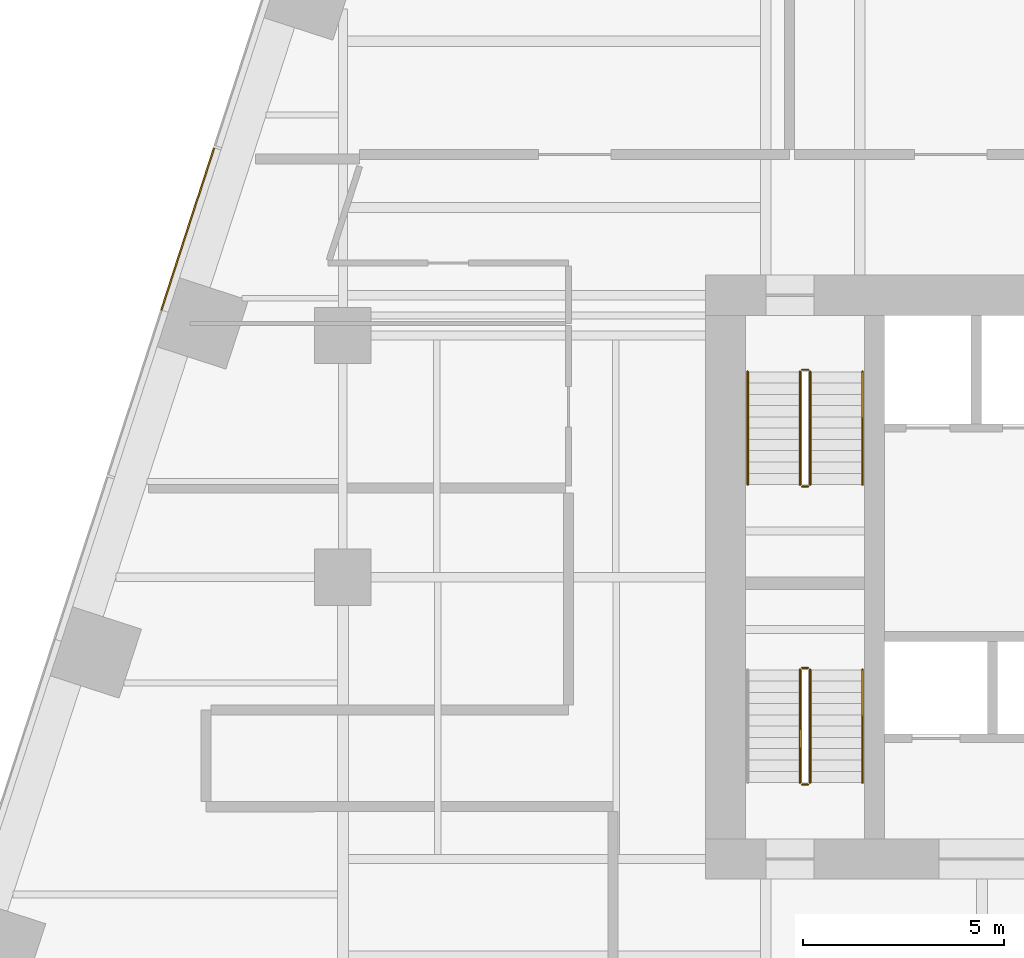
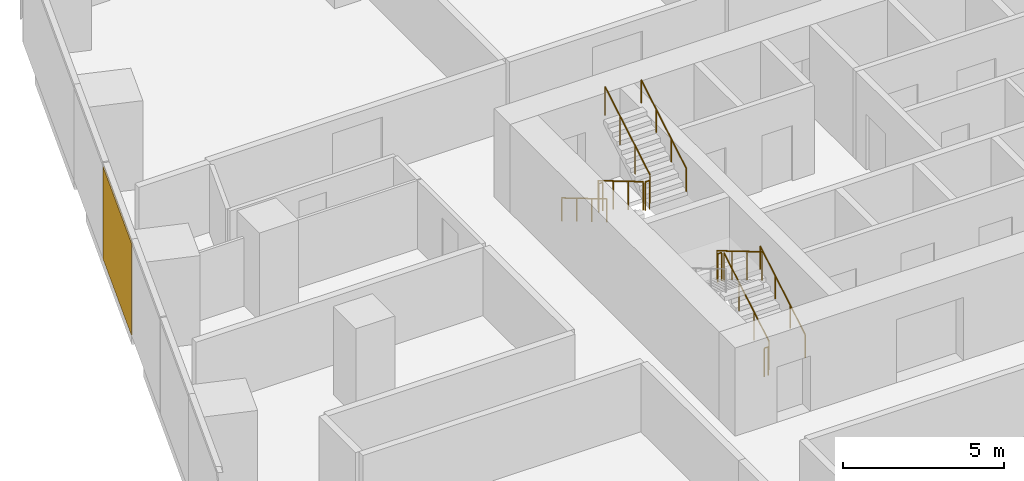
# One storey, part 19 of 20: 11 railings, 1 covering, 1 element without a shape of its own.
"""IFC4 building model written with IfcOpenShell, lengths in metres."""

from ifc_helpers import new_model, si_unit, direction, frame, origin, origin_2d, place, context, subcontext, project, spatial, rectangle, circle, extrude, material, layer, layer_set, type_object, element, aggregate, save


model = new_model("IFC4")

# Units and contexts
model_context = context("Model", 3, precision=1e-05, world=origin(), true_north=direction((0.0, 1.0)))
body_context = subcontext(model_context, "Body", "Model", "MODEL_VIEW")
ifc_project = project(units=[si_unit("LENGTHUNIT", "METRE"), si_unit("AREAUNIT", "SQUARE_METRE"), si_unit("VOLUMEUNIT", "CUBIC_METRE"), si_unit("PLANEANGLEUNIT", "RADIAN"), si_unit("MASSUNIT", "GRAM", prefix="KILO")], contexts=[model_context])

# Site, building, storey
site_placement = place(None, origin())
site = spatial("IfcSite", under=ifc_project, at=site_placement, CompositionType="ELEMENT")
building_placement = place(site_placement, origin())
building = spatial("IfcBuilding", under=site, at=building_placement, Name="Isthmus Gate Tower", CompositionType="ELEMENT")
storey_placement = place(building_placement, frame((0.0, 0.0, 72.5)))
storey = spatial("IfcBuildingStorey", under=building, at=storey_placement, Name="L16", CompositionType="ELEMENT", Elevation=72.5)

# Curtain wall, covering
ifc_material_1 = material(Name="Aluminium, pale champagne anodised", Category="aluminium")
ifc_layer_1 = layer(ifc_material_1, 0.199951171875)
ifc_layer_set_1 = layer_set([ifc_layer_1], Name="CW-1 UNITISED CURTAIN WALL 200 DEEP")
curtain_wall_type = type_object("IfcCurtainWallType", Name="CW-1 UNITISED CURTAIN WALL 200 DEEP", PredefinedType="NOTDEFINED", material=ifc_layer_set_1)
curtain_wall_placement = place(storey_placement, origin())
curtain_wall = element("IfcCurtainWall", 1, at=curtain_wall_placement, inside=storey, type_object=curtain_wall_type, Name="CW-1 NW L16", PredefinedType="NOTDEFINED")
ifc_material_2 = material(Name="Aluminium composite panel, pale champagne anodised", Category="aluminium")
ifc_layer_2 = layer(ifc_material_2, 0.0400390625)
ifc_layer_set_2 = layer_set([ifc_layer_2], Name="CW-1 PALE METAL PANEL 40")
covering_type = type_object("IfcCoveringType", Name="CW-1 PALE METAL PANEL 40", PredefinedType="CLADDING", material=ifc_layer_set_2)
covering_placement = place(storey_placement, frame((-27.8544921875, 16.146484375, 0.0), z_axis=(0.0, 0.0, 1.0), x_axis=(-0.309016994375, -0.951056516295, 0.0)))
covering = element("IfcCovering", 2, at=covering_placement, type_object=covering_type, Name="CW-1 pale metal panel", PredefinedType="CLADDING", context=body_context, shape_type="SweptSolid", body=[
    extrude(rectangle(XDim=4.234619140625, YDim=0.0400390625, at=origin_2d()), origin(), (0.0, 0.0, 1.0), 3.5),
])
aggregate(curtain_wall, [covering])

# Railings
ifc_material_3 = material(Name="Stainless steel balustrade", Category="steel")
railing_type_1 = type_object("IfcRailingType", Name="STAIR GUARD 1100", PredefinedType="GUARDRAIL", material=ifc_material_3)
railing_1_placement = place(storey_placement, frame((-12.64990234375, 12.60009765625, 0.166015625)))
element("IfcRailing", 3, at=railing_1_placement, inside=storey, type_object=railing_type_1, Name="L16 ST1 stair guard 1", PredefinedType="GUARDRAIL", context=body_context, shape_type="SweptSolid", body=[
    extrude(circle(Radius=0.02392578125, at=origin_2d()), frame((0.0, 0.0, 1.076171875), z_axis=(0.0, -0.860339051648, 0.50972219513), x_axis=(1.0, 0.0, 0.0)), (0.0, 0.0, 1.0), 3.254638671875),
    extrude(circle(Radius=0.02099609375, at=origin_2d()), origin(), (0.0, 0.0, 1.0), 1.052001953125),
    extrude(circle(Radius=0.02099609375, at=origin_2d()), frame((0.0, -0.933349609375, 0.552978515625)), (0.0, 0.0, 1.0), 1.052001953125),
    extrude(circle(Radius=0.02099609375, at=origin_2d()), frame((0.0, -1.86669921875, 1.10595703125)), (0.0, 0.0, 1.0), 1.052001953125),
    extrude(circle(Radius=0.02099609375, at=origin_2d()), frame((0.0, -2.800048828125, 1.658935546875)), (0.0, 0.0, 1.0), 1.052001953125),
])
railing_2_placement = place(storey_placement, frame((-12.60009765625, 9.75, 1.824951171875)))
element("IfcRailing", 4, at=railing_2_placement, inside=storey, type_object=railing_type_1, Name="L16 ST1 stair guard 2", PredefinedType="GUARDRAIL", context=body_context, shape_type="SweptSolid", body=[
    extrude(circle(Radius=0.02392578125, at=origin_2d()), frame((0.0, 0.0, 1.076171875), z_axis=(1.0, 0.0, 0.0), x_axis=(0.0, 1.0, 0.0)), (0.0, 0.0, 1.0), 0.150146484375),
    extrude(circle(Radius=0.02099609375, at=origin_2d()), origin(), (0.0, 0.0, 1.0), 1.052001953125),
    extrude(circle(Radius=0.02099609375, at=origin_2d()), frame((0.150146484375, 0.0, 0.0)), (0.0, 0.0, 1.0), 1.052001953125),
])
railing_3_placement = place(storey_placement, frame((-12.39990234375, 9.800048828125, 1.990966796875)))
element("IfcRailing", 5, at=railing_3_placement, inside=storey, type_object=railing_type_1, Name="L16 ST1 stair guard 3", PredefinedType="GUARDRAIL", context=body_context, shape_type="SweptSolid", body=[
    extrude(circle(Radius=0.02392578125, at=origin_2d()), frame((0.0, 0.0, 1.076171875), z_axis=(0.0, 0.860339051648, 0.50972219513), x_axis=(-1.0, 0.0, 0.0)), (0.0, 0.0, 1.0), 3.254638671875),
    extrude(circle(Radius=0.02099609375, at=origin_2d()), origin(), (0.0, 0.0, 1.0), 1.052001953125),
    extrude(circle(Radius=0.02099609375, at=origin_2d()), frame((0.0, 0.933349609375, 0.552978515625)), (0.0, 0.0, 1.0), 1.052001953125),
    extrude(circle(Radius=0.02099609375, at=origin_2d()), frame((0.0, 1.86669921875, 1.10595703125)), (0.0, 0.0, 1.0), 1.052001953125),
    extrude(circle(Radius=0.02099609375, at=origin_2d()), frame((0.0, 2.800048828125, 1.658935546875)), (0.0, 0.0, 1.0), 1.052001953125),
])
railing_4_placement = place(storey_placement, frame((-12.60009765625, 12.64990234375, 0.0)))
element("IfcRailing", 6, at=railing_4_placement, inside=storey, type_object=railing_type_1, Name="L16 ST1 stair guard 4", PredefinedType="GUARDRAIL", context=body_context, shape_type="SweptSolid", body=[
    extrude(circle(Radius=0.02392578125, at=origin_2d()), frame((0.0, 0.0, 1.076171875), z_axis=(1.0, 0.0, 0.0), x_axis=(0.0, 1.0, 0.0)), (0.0, 0.0, 1.0), 0.150146484375),
    extrude(circle(Radius=0.02099609375, at=origin_2d()), origin(), (0.0, 0.0, 1.0), 1.052001953125),
    extrude(circle(Radius=0.02099609375, at=origin_2d()), frame((0.150146484375, 0.0, 0.0)), (0.0, 0.0, 1.0), 1.052001953125),
])
railing_5_placement = place(storey_placement, frame((-12.39990234375, 2.39990234375, 0.166015625)))
element("IfcRailing", 7, at=railing_5_placement, inside=storey, type_object=railing_type_1, Name="L16 ST7 stair guard 1", PredefinedType="GUARDRAIL", context=body_context, shape_type="SweptSolid", body=[
    extrude(circle(Radius=0.02392578125, at=origin_2d()), frame((0.0, 0.0, 1.076171875), z_axis=(0.0, 0.860339051648, 0.50972219513), x_axis=(-1.0, 0.0, 0.0)), (0.0, 0.0, 1.0), 3.254638671875),
    extrude(circle(Radius=0.02099609375, at=origin_2d()), origin(), (0.0, 0.0, 1.0), 1.052001953125),
    extrude(circle(Radius=0.02099609375, at=origin_2d()), frame((0.0, 0.933349609375, 0.552978515625)), (0.0, 0.0, 1.0), 1.052001953125),
    extrude(circle(Radius=0.02099609375, at=origin_2d()), frame((0.0, 1.86669921875, 1.10595703125)), (0.0, 0.0, 1.0), 1.052001953125),
    extrude(circle(Radius=0.02099609375, at=origin_2d()), frame((0.0, 2.800048828125, 1.658935546875)), (0.0, 0.0, 1.0), 1.052001953125),
])
railing_6_placement = place(storey_placement, frame((-12.449951171875, 5.25, 1.824951171875)))
element("IfcRailing", 8, at=railing_6_placement, inside=storey, type_object=railing_type_1, Name="L16 ST7 stair guard 2", PredefinedType="GUARDRAIL", context=body_context, shape_type="SweptSolid", body=[
    extrude(circle(Radius=0.02392578125, at=origin_2d()), frame((0.0, 0.0, 1.076171875), z_axis=(-1.0, 0.0, 0.0), x_axis=(0.0, -1.0, 0.0)), (0.0, 0.0, 1.0), 0.150146484375),
    extrude(circle(Radius=0.02099609375, at=origin_2d()), origin(), (0.0, 0.0, 1.0), 1.052001953125),
    extrude(circle(Radius=0.02099609375, at=origin_2d()), frame((-0.150146484375, 0.0, 0.0)), (0.0, 0.0, 1.0), 1.052001953125),
])
railing_7_placement = place(storey_placement, frame((-12.64990234375, 5.199951171875, 1.990966796875)))
element("IfcRailing", 9, at=railing_7_placement, inside=storey, type_object=railing_type_1, Name="L16 ST7 stair guard 3", PredefinedType="GUARDRAIL", context=body_context, shape_type="SweptSolid", body=[
    extrude(circle(Radius=0.02392578125, at=origin_2d()), frame((0.0, 0.0, 1.076171875), z_axis=(0.0, -0.860339051648, 0.50972219513), x_axis=(1.0, 0.0, 0.0)), (0.0, 0.0, 1.0), 3.254638671875),
    extrude(circle(Radius=0.02099609375, at=origin_2d()), origin(), (0.0, 0.0, 1.0), 1.052001953125),
    extrude(circle(Radius=0.02099609375, at=origin_2d()), frame((0.0, -0.933349609375, 0.552978515625)), (0.0, 0.0, 1.0), 1.052001953125),
    extrude(circle(Radius=0.02099609375, at=origin_2d()), frame((0.0, -1.86669921875, 1.10595703125)), (0.0, 0.0, 1.0), 1.052001953125),
    extrude(circle(Radius=0.02099609375, at=origin_2d()), frame((0.0, -2.800048828125, 1.658935546875)), (0.0, 0.0, 1.0), 1.052001953125),
])
railing_8_placement = place(storey_placement, frame((-12.449951171875, 2.35009765625, 0.0)))
element("IfcRailing", 10, at=railing_8_placement, inside=storey, type_object=railing_type_1, Name="L16 ST7 stair guard 4", PredefinedType="GUARDRAIL", context=body_context, shape_type="SweptSolid", body=[
    extrude(circle(Radius=0.02392578125, at=origin_2d()), frame((0.0, 0.0, 1.076171875), z_axis=(-1.0, 0.0, 0.0), x_axis=(0.0, -1.0, 0.0)), (0.0, 0.0, 1.0), 0.150146484375),
    extrude(circle(Radius=0.02099609375, at=origin_2d()), origin(), (0.0, 0.0, 1.0), 1.052001953125),
    extrude(circle(Radius=0.02099609375, at=origin_2d()), frame((-0.150146484375, 0.0, 0.0)), (0.0, 0.0, 1.0), 1.052001953125),
])
ifc_material_4 = material(Name="Stainless steel handrail", Category="steel")
railing_type_2 = type_object("IfcRailingType", Name="STAIR HANDRAIL 900", PredefinedType="HANDRAIL", material=ifc_material_4)
railing_9_placement = place(storey_placement, frame((-13.949951171875, 12.60009765625, 0.166015625)))
element("IfcRailing", 11, at=railing_9_placement, inside=storey, type_object=railing_type_2, Name="L16 ST1 stair handrail 1", PredefinedType="HANDRAIL", context=body_context, shape_type="SweptSolid", body=[
    extrude(circle(Radius=0.02392578125, at=origin_2d()), frame((0.0, 0.0, 0.8759765625), z_axis=(0.0, -0.860339051648, 0.50972219513), x_axis=(1.0, 0.0, 0.0)), (0.0, 0.0, 1.0), 3.254638671875),
    extrude(circle(Radius=0.02099609375, at=origin_2d()), origin(), (0.0, 0.0, 1.0), 0.851806640625),
    extrude(circle(Radius=0.02099609375, at=origin_2d()), frame((0.0, -0.933349609375, 0.552978515625)), (0.0, 0.0, 1.0), 0.851806640625),
    extrude(circle(Radius=0.02099609375, at=origin_2d()), frame((0.0, -1.86669921875, 1.10595703125)), (0.0, 0.0, 1.0), 0.851806640625),
    extrude(circle(Radius=0.02099609375, at=origin_2d()), frame((0.0, -2.800048828125, 1.658935546875)), (0.0, 0.0, 1.0), 0.851806640625),
])
for number, where, name in (
    (12, (-11.10009765625, 9.800048828125, 1.990966796875), "L16 ST1 stair handrail 2"),
    (13, (-11.10009765625, 2.39990234375, 0.166015625), "L16 ST7 stair handrail 1"),
):
    element("IfcRailing", number, at=place(storey_placement, frame(where)), inside=storey, type_object=railing_type_2, Name=name, PredefinedType="HANDRAIL", context=body_context, shape_type="SweptSolid", body=[
        extrude(circle(Radius=0.02392578125, at=origin_2d()), frame((0.0, 0.0, 0.8759765625), z_axis=(0.0, 0.860339051648, 0.50972219513), x_axis=(-1.0, 0.0, 0.0)), (0.0, 0.0, 1.0), 3.254638671875),
        extrude(circle(Radius=0.02099609375, at=origin_2d()), origin(), (0.0, 0.0, 1.0), 0.851806640625),
        extrude(circle(Radius=0.02099609375, at=origin_2d()), frame((0.0, 0.933349609375, 0.552978515625)), (0.0, 0.0, 1.0), 0.851806640625),
        extrude(circle(Radius=0.02099609375, at=origin_2d()), frame((0.0, 1.86669921875, 1.10595703125)), (0.0, 0.0, 1.0), 0.851806640625),
        extrude(circle(Radius=0.02099609375, at=origin_2d()), frame((0.0, 2.800048828125, 1.658935546875)), (0.0, 0.0, 1.0), 0.851806640625),
    ])

save(model, "model.ifc")
